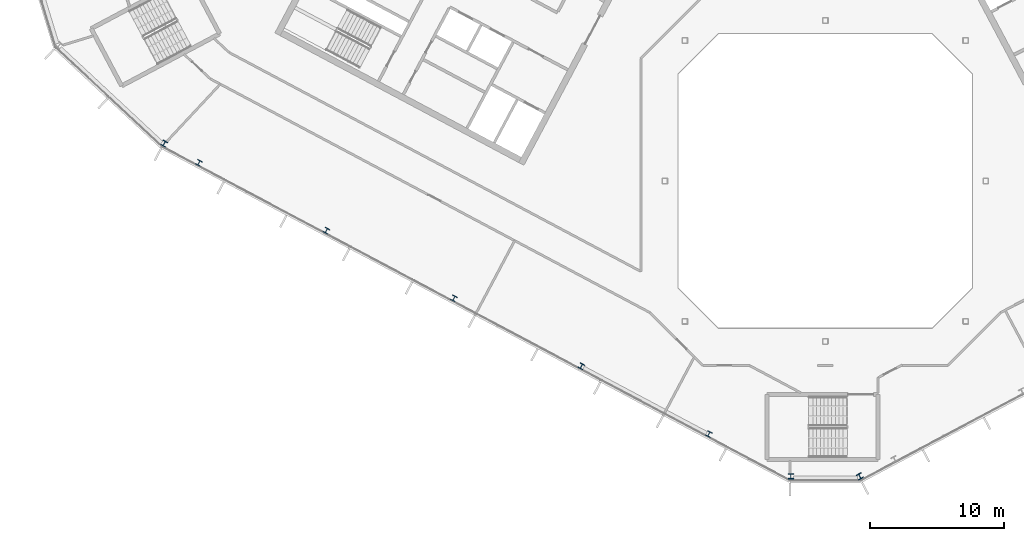
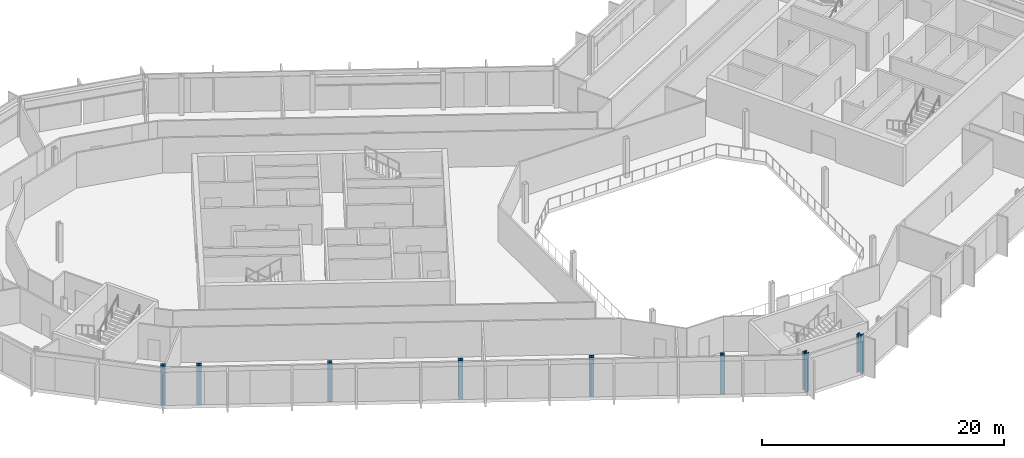
# One storey, part 1 of 26: 8 columns.
"""IFC4 building model written with IfcOpenShell, lengths in metres."""

from ifc_helpers import new_model, si_unit, direction, frame, origin, origin_2d, place, context, subcontext, project, spatial, i_section, extrude, material, material_profile, profile_set, type_object, element, save


model = new_model("IFC4")

# Units and contexts
model_context = context("Model", 3, precision=1e-05, world=origin(), true_north=direction((0.0, 1.0)))
body_context = subcontext(model_context, "Body", "Model", "MODEL_VIEW")
ifc_project = project(units=[si_unit("LENGTHUNIT", "METRE"), si_unit("AREAUNIT", "SQUARE_METRE"), si_unit("VOLUMEUNIT", "CUBIC_METRE"), si_unit("PLANEANGLEUNIT", "RADIAN"), si_unit("MASSUNIT", "GRAM", prefix="KILO")], contexts=[model_context])

# Site, building, storey
site_placement = place(None, origin())
site = spatial("IfcSite", under=ifc_project, at=site_placement, CompositionType="ELEMENT")
building_placement = place(site_placement, origin())
building = spatial("IfcBuilding", under=site, at=building_placement, Name="Cormorant Relay Tower", CompositionType="ELEMENT")
storey_placement = place(building_placement, frame((0.0, 0.0, 285.300048828125)))
storey = spatial("IfcBuildingStorey", under=building, at=storey_placement, Name="L64", CompositionType="ELEMENT", Elevation=285.300048828125)

# Columns
ifc_material_1 = material(Name="Steel ASTM A992 (Fy 345 MPa)", Category="steel")
ifc_material_profile_1 = material_profile(ifc_material_1, i_section(OverallWidth=0.398681640625, OverallDepth=0.385986328125, WebThickness=0.02099609375, FlangeThickness=0.033203125, FilletRadius=0.01513671875, at=origin_2d()), Name="W360x262")
ifc_profile_set_1 = profile_set([ifc_material_profile_1], Name="Steel ASTM A992 (Fy 345 MPa)")
column_type_1 = type_object("IfcColumnType", Name="Column W360x262", PredefinedType="COLUMN", material=ifc_profile_set_1)
for number, where, z_axis, x_axis, name in (
    (1, (-8.705078125, -18.928955078125, 0.0), (0.0, 0.0, 1.0), (0.882947592859, -0.469471562786, 0.0), "Column L64-004"),
    (2, (-18.240966796875, -13.85791015625, 0.0), (0.0, 0.0, 1.0), (0.882947592859, -0.469471562786, 0.0), "Column L64-006"),
    (3, (-27.777099609375, -8.7880859375, 0.0), (0.0, 0.0, 1.0), (0.882947592859, -0.469471562786, 0.0), "Column L64-011"),
    (4, (-37.31298828125, -3.718017578125, 0.0), (0.0, 0.0, 1.0), (0.882947592859, -0.469471562786, 0.0), "Column L64-013"),
    (5, (-46.84912109375, 1.35205078125, 0.0), (0.0, 0.0, 1.0), (0.882947592859, -0.469471562786, 0.0), "Column L64-017"),
):
    element("IfcColumn", number, at=place(storey_placement, frame(where, z_axis=z_axis, x_axis=x_axis)), inside=storey, type_object=column_type_1, Name=name, PredefinedType="COLUMN", context=body_context, shape_type="SweptSolid", body=[
        extrude(i_section(OverallWidth=0.398681640625, OverallDepth=0.385986328125, WebThickness=0.02099609375, FlangeThickness=0.033203125, FilletRadius=0.01513671875, at=origin_2d()), origin(), (0.0, 0.0, 1.0), 3.89990234375),
    ])
ifc_material_2 = material(Name="Steel ASTM A992 (Fy 345 MPa)", Category="steel")
ifc_material_profile_2 = material_profile(ifc_material_2, i_section(OverallWidth=0.40380859375, OverallDepth=0.406494140625, WebThickness=0.027099609375, FlangeThickness=0.043701171875, FilletRadius=0.01513671875, at=origin_2d()), Name="W360x347")
ifc_profile_set_2 = profile_set([ifc_material_profile_2], Name="Steel ASTM A992 (Fy 345 MPa)")
column_type_2 = type_object("IfcColumnType", Name="Column W360x347", PredefinedType="COLUMN", material=ifc_profile_set_2)
for number, where, z_axis, x_axis, name in (
    (6, (-2.5791015625, -22.093994140625, 0.0), (0.0, 0.0, 1.0), (1.0, 0.0, 0.0), "Column L64-001"),
    (7, (2.5791015625, -22.093994140625, 0.0), (0.0, 0.0, 1.0), (0.882947592859, 0.469471562786, 0.0), "Column L64-002"),
    (8, (-49.44091796875, 2.7958984375, 0.0), (0.0, 0.0, 1.0), (0.882947592859, -0.469471562786, 0.0), "Column L64-018"),
):
    element("IfcColumn", number, at=place(storey_placement, frame(where, z_axis=z_axis, x_axis=x_axis)), inside=storey, type_object=column_type_2, Name=name, PredefinedType="COLUMN", context=body_context, shape_type="SweptSolid", body=[
        extrude(i_section(OverallWidth=0.40380859375, OverallDepth=0.406494140625, WebThickness=0.027099609375, FlangeThickness=0.043701171875, FilletRadius=0.01513671875, at=origin_2d()), origin(), (0.0, 0.0, 1.0), 3.89990234375),
    ])

save(model, "model.ifc")
